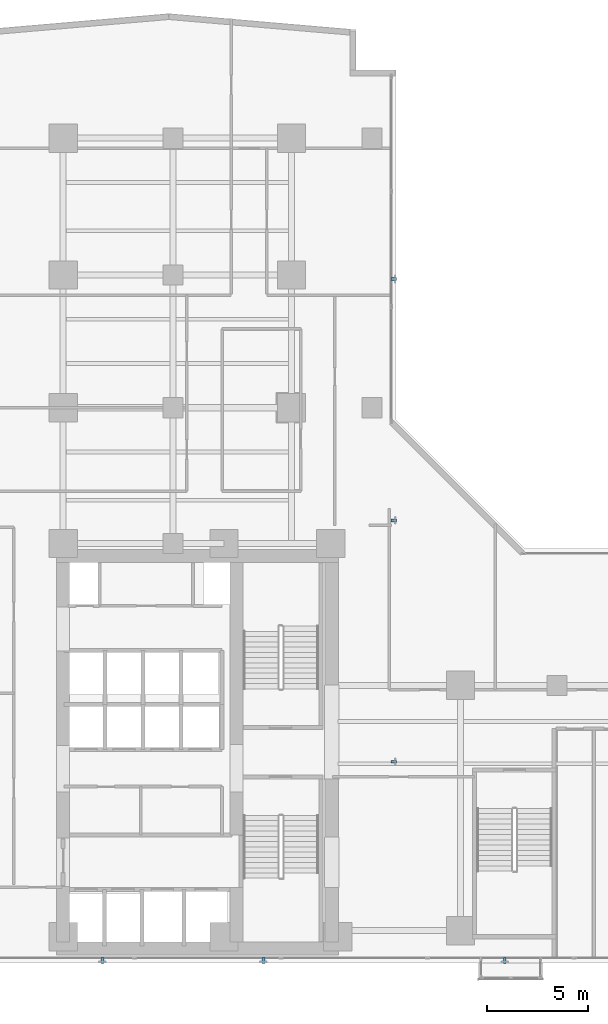
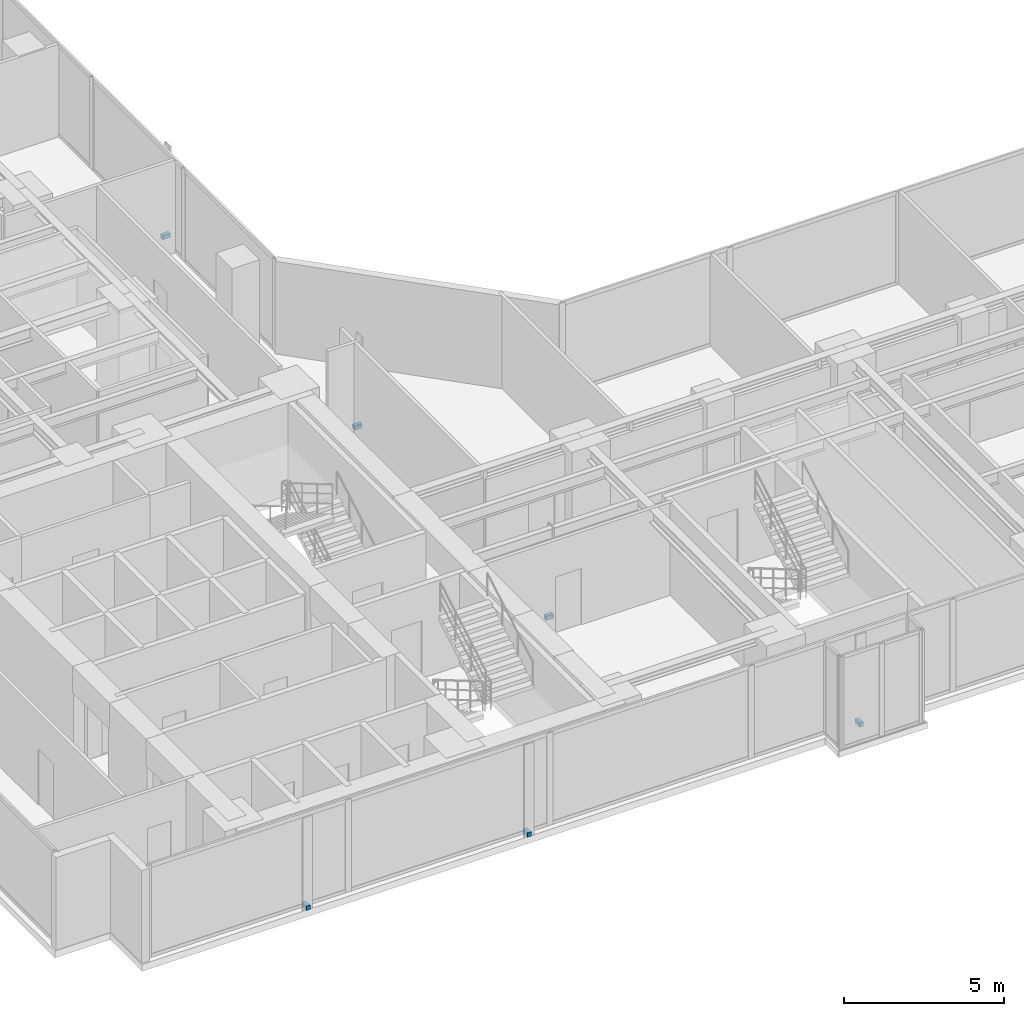
# One storey, part 22 of 26: 6 discrete accessories.
"""IFC4 building model written with IfcOpenShell, lengths in metres."""

from ifc_helpers import new_model, si_unit, direction, frame, origin, origin_with_axes, origin_2d, place, context, subcontext, project, spatial, rectangle, extrude, source, transform, mapped, material, type_object, element, save


model = new_model("IFC4")

# Units and contexts
model_context = context("Model", 3, precision=1e-05, world=origin(), true_north=direction((0.0, 1.0)))
body_context = subcontext(model_context, "Body", "Model", "MODEL_VIEW")
ifc_project = project(units=[si_unit("LENGTHUNIT", "METRE"), si_unit("AREAUNIT", "SQUARE_METRE"), si_unit("VOLUMEUNIT", "CUBIC_METRE"), si_unit("PLANEANGLEUNIT", "RADIAN"), si_unit("MASSUNIT", "GRAM", prefix="KILO")], contexts=[model_context])

# Site, building, storey
site_placement = place(None, origin())
site = spatial("IfcSite", under=ifc_project, at=site_placement, CompositionType="ELEMENT")
building_placement = place(site_placement, origin())
building = spatial("IfcBuilding", under=site, at=building_placement, Name="Kolvaren Waterfront Exchange", CompositionType="ELEMENT")
storey_placement = place(building_placement, frame((0.0, 0.0, 125.89990234375)))
storey = spatial("IfcBuildingStorey", under=building, at=storey_placement, Name="L32", CompositionType="ELEMENT", Elevation=125.89990234375)

# Discrete accessories
ifc_material = material(Name="Stainless steel 316", Category="steel")
discrete_accessory_type = type_object("IfcDiscreteAccessoryType", Name="ARC-BRK-FIN", PredefinedType="BRACKET", material=ifc_material)
shared_shape = source(origin_with_axes(), body_context, "Body", "SweptSolid", [
    extrude(rectangle(XDim=0.280029296875, YDim=0.139892578125, at=origin_2d()), origin(), (0.0, 0.0, 1.0), 0.159912109375),
])
for number, where, z_axis, x_axis, name in (
    (1, (9.39990234375, 3.719970703125, 0.0), (0.0, 0.0, 1.0), (0.0, -1.0, 0.0), "L32 bronze fin anchor bracket FIN-L32-S1"),
    (2, (17.39990234375, 3.719970703125, 0.0), (0.0, 0.0, 1.0), (0.0, -1.0, 0.0), "L32 bronze fin anchor bracket FIN-L32-S2"),
    (3, (29.39990234375, 3.719970703125, 0.0), (0.0, 0.0, 1.0), (0.0, -1.0, 0.0), "L32 bronze fin anchor bracket FIN-L32-S3"),
    (4, (23.8798828125, 13.60009765625, 0.0), (0.0, 0.0, 1.0), (1.0, 0.0, 0.0), "L32 bronze fin anchor bracket FIN-L32-E1"),
    (5, (23.8798828125, 25.60009765625, 0.0), (0.0, 0.0, 1.0), (1.0, 0.0, 0.0), "L32 bronze fin anchor bracket FIN-L32-E2"),
    (6, (23.8798828125, 37.60009765625, 0.0), (0.0, 0.0, 1.0), (1.0, 0.0, 0.0), "L32 bronze fin anchor bracket FIN-L32-E3"),
):
    element("IfcDiscreteAccessory", number, at=place(storey_placement, frame(where, z_axis=z_axis, x_axis=x_axis)), inside=storey, type_object=discrete_accessory_type, Name=name, PredefinedType="BRACKET", context=body_context, shape_type="MappedRepresentation", body=[
        mapped(shared_shape, transform((0.0, 0.0, 0.0), x_axis=(1.0, 0.0, 0.0), y_axis=(0.0, 1.0, 0.0), z_axis=(0.0, 0.0, 1.0), scale=1.0)),
    ])

save(model, "model.ifc")
